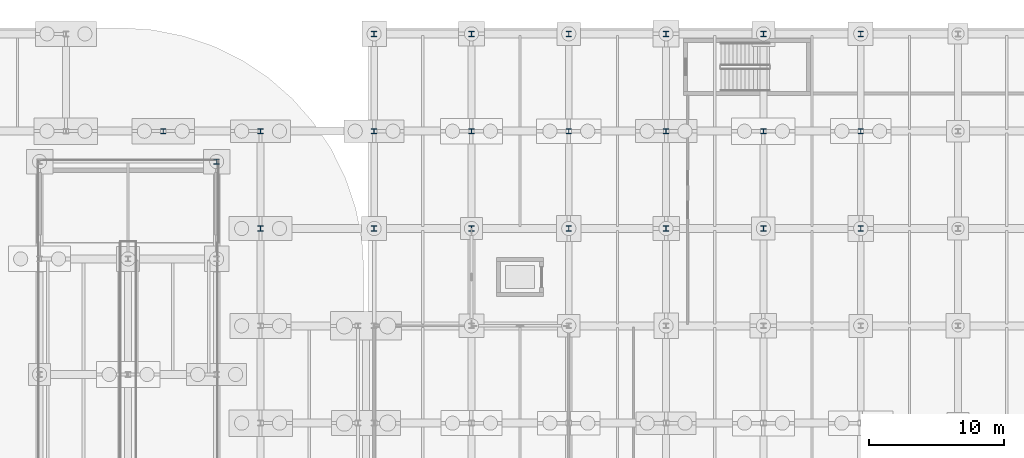
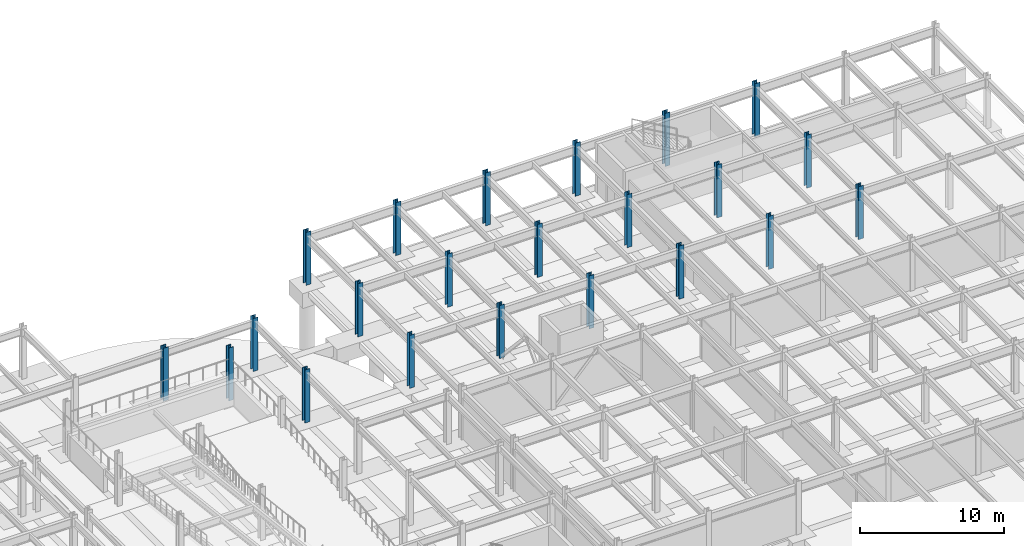
# One storey, part 26 of 54: 22 columns.
"""IFC4 building model written with IfcOpenShell, lengths in metres."""

from ifc_helpers import new_model, si_unit, direction, frame, origin, origin_2d, place, context, subcontext, project, spatial, i_section, extrude, material, material_profile, profile_set, type_object, element, save


model = new_model("IFC4")

# Units and contexts
model_context = context("Model", 3, precision=1e-05, world=origin(), true_north=direction((0.0, 1.0)))
body_context = subcontext(model_context, "Body", "Model", "MODEL_VIEW")
ifc_project = project(units=[si_unit("LENGTHUNIT", "METRE"), si_unit("AREAUNIT", "SQUARE_METRE"), si_unit("VOLUMEUNIT", "CUBIC_METRE"), si_unit("PLANEANGLEUNIT", "RADIAN"), si_unit("MASSUNIT", "GRAM", prefix="KILO")], contexts=[model_context])

# Site, building, storey
site_placement = place(None, origin())
site = spatial("IfcSite", under=ifc_project, at=site_placement, CompositionType="ELEMENT")
building_placement = place(site_placement, origin())
building = spatial("IfcBuilding", under=site, at=building_placement, Name="Vaelcorin Mobility Hub", CompositionType="ELEMENT")
storey_placement = place(building_placement, frame((0.0, 0.0, -4.5)))
storey = spatial("IfcBuildingStorey", under=building, at=storey_placement, Name="B1", CompositionType="ELEMENT", Elevation=-4.5)

# Columns
ifc_material = material(Name="Steel ASTM A992 Grade 50", Category="steel")
ifc_material_profile_1 = material_profile(ifc_material, i_section(OverallWidth=0.39599609375, OverallDepth=0.381103515625, WebThickness=0.018798828125, FlangeThickness=0.0302734375, FilletRadius=0.014892578125, at=origin_2d()), Name="W14X159")
ifc_profile_set_1 = profile_set([ifc_material_profile_1], Name="Steel ASTM A992 Grade 50")
column_type_1 = type_object("IfcColumnType", Name="COL-W14X159", PredefinedType="COLUMN", material=ifc_profile_set_1)
column_placement = place(storey_placement, frame((141.949951171875, 110.550048828125, 0.0), z_axis=(0.0, 0.0, 1.0), x_axis=(1.0, 0.0, 0.0)))
element("IfcColumn", 1, at=column_placement, inside=storey, type_object=column_type_1, Name="Column V2E-RDRM-EB B1", PredefinedType="COLUMN", context=body_context, shape_type="SweptSolid", body=[
    extrude(i_section(OverallWidth=0.39599609375, OverallDepth=0.381103515625, WebThickness=0.018798828125, FlangeThickness=0.0302734375, FilletRadius=0.014892578125, at=origin_2d()), origin(), (0.0, 0.0, 1.0), 4.5),
])
ifc_material_profile_2 = material_profile(ifc_material, i_section(OverallWidth=0.39892578125, OverallDepth=0.39404296875, WebThickness=0.022705078125, FlangeThickness=0.03662109375, FilletRadius=0.014892578125, at=origin_2d()), Name="W14X193")
ifc_profile_set_2 = profile_set([ifc_material_profile_2], Name="Steel ASTM A992 Grade 50")
column_type_2 = type_object("IfcColumnType", Name="COL-W14X193", PredefinedType="COLUMN", material=ifc_profile_set_2)
for number, where, z_axis, x_axis, name in (
    (2, (138.0, 112.800048828125, 0.0), (0.0, 0.0, 1.0), (1.0, 0.0, 0.0), "Column V2E-G3x6 B1"),
    (3, (145.199951171875, 105.60009765625, 0.0), (0.0, 0.0, 1.0), (1.0, 0.0, 0.0), "Column V2E-G4x5 B1"),
    (4, (145.199951171875, 112.800048828125, 0.0), (0.0, 0.0, 1.0), (1.0, 0.0, 0.0), "Column V2E-G4x6 B1"),
    (5, (153.60009765625, 105.60009765625, 0.0), (0.0, 0.0, 1.0), (1.0, 0.0, 0.0), "Column V5-X01Y13 B1"),
    (6, (153.60009765625, 112.800048828125, 0.0), (0.0, 0.0, 1.0), (1.0, 0.0, 0.0), "Column V5-X01Y14 B1"),
    (7, (153.60009765625, 120.0, 0.0), (0.0, 0.0, 1.0), (1.0, 0.0, 0.0), "Column V5-X01Y15 B1"),
    (8, (160.800048828125, 105.60009765625, 0.0), (0.0, 0.0, 1.0), (1.0, 0.0, 0.0), "Column V5-X02Y13 B1"),
    (9, (160.800048828125, 112.800048828125, 0.0), (0.0, 0.0, 1.0), (1.0, 0.0, 0.0), "Column V5-X02Y14 B1"),
    (10, (160.800048828125, 120.0, 0.0), (0.0, 0.0, 1.0), (1.0, 0.0, 0.0), "Column V5-X02Y15 B1"),
    (11, (168.0, 105.60009765625, 0.0), (0.0, 0.0, 1.0), (1.0, 0.0, 0.0), "Column V5-X03Y13 B1"),
    (12, (168.0, 112.800048828125, 0.0), (0.0, 0.0, 1.0), (1.0, 0.0, 0.0), "Column V5-X03Y14 B1"),
    (13, (168.0, 120.0, 0.0), (0.0, 0.0, 1.0), (1.0, 0.0, 0.0), "Column V5-X03Y15 B1"),
    (14, (175.199951171875, 105.60009765625, 0.0), (0.0, 0.0, 1.0), (1.0, 0.0, 0.0), "Column V5-X04Y13 B1"),
    (15, (175.199951171875, 112.800048828125, 0.0), (0.0, 0.0, 1.0), (1.0, 0.0, 0.0), "Column V5-X04Y14 B1"),
    (16, (175.199951171875, 120.0, 0.0), (0.0, 0.0, 1.0), (1.0, 0.0, 0.0), "Column V5-X04Y15 B1"),
    (17, (182.39990234375, 105.60009765625, 0.0), (0.0, 0.0, 1.0), (1.0, 0.0, 0.0), "Column V5-X05Y13 B1"),
    (18, (182.39990234375, 112.800048828125, 0.0), (0.0, 0.0, 1.0), (1.0, 0.0, 0.0), "Column V5-X05Y14 B1"),
    (19, (182.39990234375, 120.0, 0.0), (0.0, 0.0, 1.0), (1.0, 0.0, 0.0), "Column V5-X05Y15 B1"),
    (20, (189.60009765625, 105.60009765625, 0.0), (0.0, 0.0, 1.0), (1.0, 0.0, 0.0), "Column V5-X06Y13 B1"),
    (21, (189.60009765625, 112.800048828125, 0.0), (0.0, 0.0, 1.0), (1.0, 0.0, 0.0), "Column V5-X06Y14 B1"),
    (22, (189.60009765625, 120.0, 0.0), (0.0, 0.0, 1.0), (1.0, 0.0, 0.0), "Column V5-X06Y15 B1"),
):
    element("IfcColumn", number, at=place(storey_placement, frame(where, z_axis=z_axis, x_axis=x_axis)), inside=storey, type_object=column_type_2, Name=name, PredefinedType="COLUMN", context=body_context, shape_type="SweptSolid", body=[
        extrude(i_section(OverallWidth=0.39892578125, OverallDepth=0.39404296875, WebThickness=0.022705078125, FlangeThickness=0.03662109375, FilletRadius=0.014892578125, at=origin_2d()), origin(), (0.0, 0.0, 1.0), 4.5),
    ])

save(model, "model.ifc")
